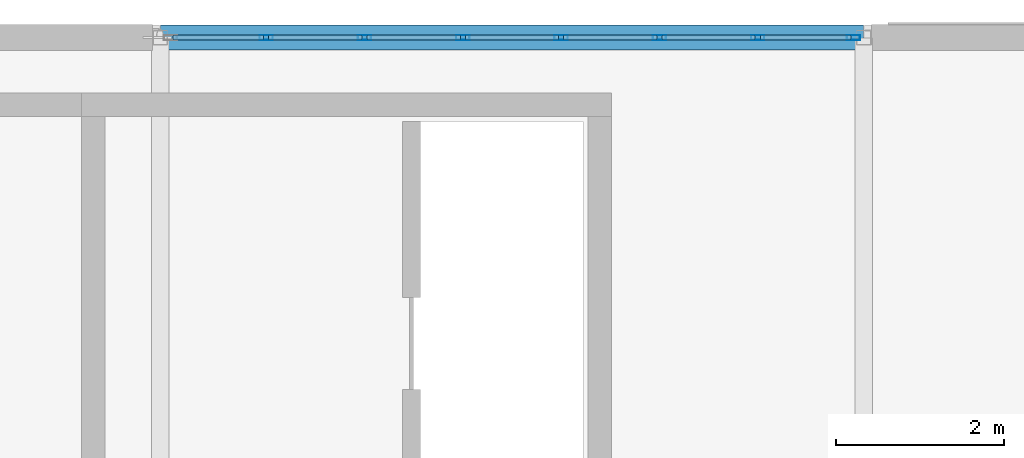
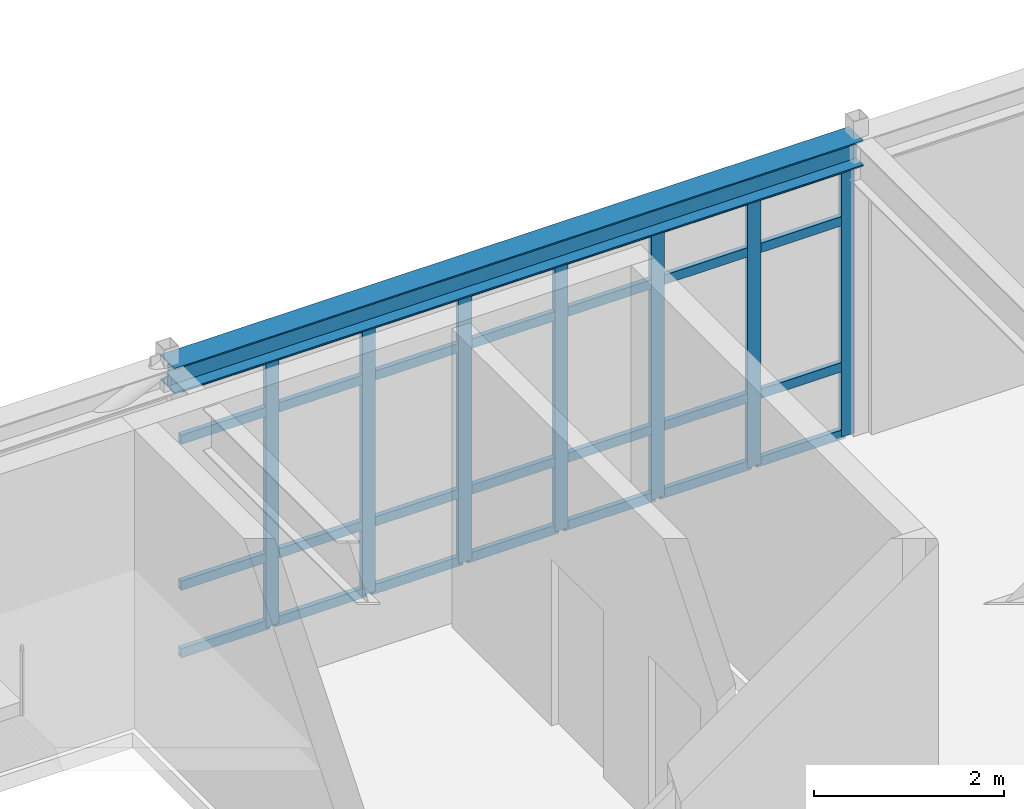
# One storey, part 21 of 65: 35 members, 1 beam, 1 element without a shape of its own.
"""IFC4 building model written with IfcOpenShell, lengths in metres."""

import ifcopenshell
import ifcopenshell.guid

model = None  # the IFC model being written
_history = None  # IfcOwnerHistory: only IFC2X3 demands one
_inside = {}  # id of a spatial element -> (the spatial element, [elements in it])
_under = {}  # id of a project, library or spatial element -> (it, [spatial elements below it])
_declared = {}  # id of a project -> (the project, [libraries it declares])
_typed = {}  # id of a type object -> (the type object, [elements of that type])
_made_of = {}  # id of a material, layer set ... -> (it, [elements and type objects made of it])


def new_model(schema):
    """Start an empty IFC model of exactly this schema.

    Asked for "IFC4X3", IfcOpenShell would pick the latest addendum, in which some entities
    have other attributes; the version numbers below select the first issue.
    IFC2X3 requires an IfcOwnerHistory on every rooted entity: one is made here for all.
    """
    global model, _history
    if schema == "IFC4X3":
        model = ifcopenshell.file(schema_version=(4, 3, 0, 0))
    else:
        model = ifcopenshell.file(schema=schema)
    _inside.clear()
    _under.clear()
    _declared.clear()
    _typed.clear()
    _made_of.clear()
    _history = None
    if model.schema == "IFC2X3":
        org = make("IfcOrganization", Name="unknown")
        user = make(
            "IfcPersonAndOrganization",
            ThePerson=make("IfcPerson", FamilyName="unknown"),
            TheOrganization=org,
        )
        app = make(
            "IfcApplication",
            ApplicationDeveloper=org,
            Version="unknown",
            ApplicationFullName="unknown",
            ApplicationIdentifier="unknown",
        )
        _history = make(
            "IfcOwnerHistory",
            OwningUser=user,
            OwningApplication=app,
            ChangeAction="ADDED",
            CreationDate=0,
        )
    return model


def make(cls, **values):
    """One entity of the class cls with the attributes given. An attribute that is None is left unset."""
    return model.create_entity(
        cls, **{name: value for name, value in values.items() if value is not None}
    )


def rooted(cls, **values):
    """An entity with a GlobalId (a new one), such as an element, a storey or a relation."""
    return make(cls, GlobalId=ifcopenshell.guid.new(), OwnerHistory=_history, **values)


def si_unit(unit_type, name, prefix=None):
    """IfcSIUnit, for example si_unit("LENGTHUNIT", "METRE", prefix="MILLI")."""
    return make("IfcSIUnit", UnitType=unit_type, Prefix=prefix, Name=name)


def assignment(units):
    """IfcUnitAssignment: the units of a project."""
    return None if units is None else make("IfcUnitAssignment", Units=units)


def point(xyz):
    """IfcCartesianPoint."""
    return None if xyz is None else make("IfcCartesianPoint", Coordinates=xyz)


def direction(xyz):
    """IfcDirection."""
    return None if xyz is None else make("IfcDirection", DirectionRatios=xyz)


def frame(location, z_axis=None, x_axis=None):
    """IfcAxis2Placement3D, a coordinate frame: its origin and axes. An axis left out is left unset."""
    return make(
        "IfcAxis2Placement3D",
        Location=point(location),
        Axis=direction(z_axis),
        RefDirection=direction(x_axis),
    )


def frame_2d(location, x_axis=None):
    """IfcAxis2Placement2D, a coordinate frame in the plane: its origin and x axis."""
    return make(
        "IfcAxis2Placement2D", Location=point(location), RefDirection=direction(x_axis)
    )


def origin():
    """The frame at (0, 0, 0) with its axes left unset."""
    return frame((0.0, 0.0, 0.0))


def origin_2d():
    """The frame at (0, 0) in the plane with its x axis left unset."""
    return frame_2d((0.0, 0.0))


def place(relative_to, where):
    """IfcLocalPlacement: puts the frame where relative to a parent placement (None: the world)."""
    return make(
        "IfcLocalPlacement", PlacementRelTo=relative_to, RelativePlacement=where
    )


def context(
    kind, dimensions, precision=None, world=None, true_north=None, identifier=None
):
    """IfcGeometricRepresentationContext, for example the 3D "Model" context."""
    return make(
        "IfcGeometricRepresentationContext",
        ContextIdentifier=identifier,
        ContextType=kind,
        CoordinateSpaceDimension=dimensions,
        Precision=precision,
        WorldCoordinateSystem=world,
        TrueNorth=true_north,
    )


def subcontext(parent, identifier, kind, view, scale=None):
    """IfcGeometricRepresentationSubContext, for example "Body" below "Model"."""
    return make(
        "IfcGeometricRepresentationSubContext",
        ContextIdentifier=identifier,
        ContextType=kind,
        ParentContext=parent,
        TargetScale=scale,
        TargetView=view,
    )


def project(units=None, contexts=None):
    """IfcProject with its units and contexts."""
    return rooted(
        "IfcProject",
        Name="project",
        RepresentationContexts=contexts,
        UnitsInContext=assignment(units),
    )


def spatial(cls, under=None, at=None, **own):
    """A site, building, storey or space (cls), placed at a placement, below another one or the project."""
    s = rooted(cls, ObjectPlacement=at, **own)
    if under is not None:
        _under.setdefault(under.id(), (under, []))[1].append(s)
    return s


def profile(cls, at=None, kind="AREA", **sizes):
    """A parametric profile (cls). Its sizes go by their IFC names, for example OverallWidth=200.0."""
    return make(cls, ProfileType=kind, Position=at, **sizes)


def hollow_rectangle(**sizes):
    """IfcRectangleHollowProfileDef."""
    return profile("IfcRectangleHollowProfileDef", **sizes)


def i_section(**sizes):
    """IfcIShapeProfileDef."""
    return profile("IfcIShapeProfileDef", **sizes)


def extrude(swept, where, along, depth):
    """IfcExtrudedAreaSolid: the profile swept, set in the frame where, extruded along a direction by depth."""
    return make(
        "IfcExtrudedAreaSolid",
        SweptArea=swept,
        Position=where,
        ExtrudedDirection=direction(along),
        Depth=depth,
    )


def shape(context_of_items, identifier, shape_type, items):
    """IfcShapeRepresentation: the items that make up one representation, for example the "Body"."""
    return make(
        "IfcShapeRepresentation",
        ContextOfItems=context_of_items,
        RepresentationIdentifier=identifier,
        RepresentationType=shape_type,
        Items=items,
    )


def material(Name=None, Category=None):
    """IfcMaterial."""
    return make("IfcMaterial", Name=Name, Category=Category)


def layer(
    of_material, thickness, ventilated=None, Name=None, Category=None, Priority=None
):
    """IfcMaterialLayer: one layer of a wall or slab, of a material (None: an air gap)."""
    return make(
        "IfcMaterialLayer",
        Material=of_material,
        LayerThickness=thickness,
        IsVentilated=ventilated,
        Name=Name,
        Category=Category,
        Priority=Priority,
    )


def layer_set(layers, Name=None):
    """IfcMaterialLayerSet."""
    return make("IfcMaterialLayerSet", MaterialLayers=layers, LayerSetName=Name)


def material_profile(
    of_material, cross_section, Name=None, Category=None, Priority=None
):
    """IfcMaterialProfile: a cross section and its material."""
    return make(
        "IfcMaterialProfile",
        Name=Name,
        Material=of_material,
        Profile=cross_section,
        Priority=Priority,
        Category=Category,
    )


def profile_set(profiles, Name=None, composite=None):
    """IfcMaterialProfileSet."""
    return make(
        "IfcMaterialProfileSet",
        Name=Name,
        MaterialProfiles=profiles,
        CompositeProfile=composite,
    )


def made_of(thing, what):
    """Note that an element or type object is made of a material, layer set ...; save() writes the relation."""
    if what is not None:
        _made_of.setdefault(what.id(), (what, []))[1].append(thing)
    return thing


def type_object(cls, material=None, **own):
    """A type object (cls), such as IfcWallType, which elements share."""
    return made_of(rooted(cls, **own), material)


def element(
    cls,
    number,
    at=None,
    inside=None,
    cuts=None,
    type_object=None,
    material=None,
    context=None,
    identifier="Body",
    shape_type=None,
    held_by="IfcProductDefinitionShape",
    body=None,
    shapes=None,
    **own,
):
    """One element of the class cls, such as IfcWall. Its Tag is "e" and its number.

    at: its placement. inside: the storey or other place that contains it. cuts: it is an
    opening in that element (IfcRelVoidsElement). A single representation is given by context,
    identifier, shape_type and body (its items); several are given by shapes. held_by: the class
    of the entity that holds the representations. save() writes the other relations.
    """
    e = rooted(cls, Tag="e%d" % number, ObjectPlacement=at, **own)
    if body is not None:
        shapes = [shape(context, identifier, shape_type, body)]
    if shapes is not None:
        e.Representation = make(held_by, Representations=shapes)
    if inside is not None:
        _inside.setdefault(inside.id(), (inside, []))[1].append(e)
    if cuts is not None:
        rooted(
            "IfcRelVoidsElement", RelatingBuildingElement=cuts, RelatedOpeningElement=e
        )
    if type_object is not None:
        _typed.setdefault(type_object.id(), (type_object, []))[1].append(e)
    return made_of(e, material)


def aggregate(whole, parts):
    """IfcRelAggregates: a whole, such as a stair, and the parts it consists of."""
    return rooted("IfcRelAggregates", RelatingObject=whole, RelatedObjects=parts)


def save(model, path):
    """Write the relations noted so far, then the file.

    IfcRelAggregates (storeys below a building ...), IfcRelContainedInSpatialStructure (elements
    in a storey), IfcRelDefinesByType, IfcRelAssociatesMaterial and IfcRelDeclares: one each for
    every whole, place, type object, material and project.
    """
    for whole, parts in _under.values():
        aggregate(whole, parts)
    for where, things in _inside.values():
        rooted(
            "IfcRelContainedInSpatialStructure",
            RelatedElements=things,
            RelatingStructure=where,
        )
    for kind, things in _typed.values():
        rooted("IfcRelDefinesByType", RelatedObjects=things, RelatingType=kind)
    for what, things in _made_of.values():
        rooted("IfcRelAssociatesMaterial", RelatedObjects=things, RelatingMaterial=what)
    for by, libraries in _declared.values():
        rooted("IfcRelDeclares", RelatingContext=by, RelatedDefinitions=libraries)
    model.write(path)


model = new_model("IFC4")

# Units and contexts
model_context = context("Model", 3, precision=1e-05, world=origin(), true_north=direction((0.0, 1.0)))
body_context = subcontext(model_context, "Body", "Model", "MODEL_VIEW")
ifc_project = project(units=[si_unit("LENGTHUNIT", "METRE"), si_unit("AREAUNIT", "SQUARE_METRE"), si_unit("VOLUMEUNIT", "CUBIC_METRE"), si_unit("PLANEANGLEUNIT", "RADIAN"), si_unit("MASSUNIT", "GRAM", prefix="KILO")], contexts=[model_context])

# Site, building, storey
site_placement = place(None, origin())
site = spatial("IfcSite", under=ifc_project, at=site_placement, CompositionType="ELEMENT")
building_placement = place(site_placement, origin())
building = spatial("IfcBuilding", under=site, at=building_placement, Name="Montecoro Central Library", CompositionType="ELEMENT")
storey_placement = place(building_placement, frame((0.0, 0.0, 17.340087890625)))
storey = spatial("IfcBuildingStorey", under=building, at=storey_placement, Name="L04", CompositionType="ELEMENT", Elevation=17.340087890625)

# Beam
ifc_material_1 = material(Name="Steel S355", Category="steel")
ifc_material_profile_1 = material_profile(ifc_material_1, i_section(OverallWidth=0.300048828125, OverallDepth=0.330078125, WebThickness=0.009521484375, FlangeThickness=0.0166015625, at=origin_2d()), Name="HEA 340")
ifc_profile_set_1 = profile_set([ifc_material_profile_1], Name="Steel S355")
beam_type = type_object("IfcBeamType", Name="BM-SP-HEA340", PredefinedType="SPANDREL", material=ifc_profile_set_1)
beam_placement = place(storey_placement, frame((83.205078125, 119.0, 3.659912109375), z_axis=(1.0, 0.0, 0.0), x_axis=(0.0, 1.0, 0.0)))
element("IfcBeam", 1, at=beam_placement, inside=storey, type_object=beam_type, Name="V2-L04-BX-1112-R", PredefinedType="SPANDREL", context=body_context, shape_type="SweptSolid", body=[
    extrude(i_section(OverallWidth=0.300048828125, OverallDepth=0.330078125, WebThickness=0.009521484375, FlangeThickness=0.0166015625, at=origin_2d()), origin(), (0.0, 0.0, 1.0), 8.389892578125),
])

# Curtain wall, members
ifc_material_2 = material(Name="Bronze-anodised aluminium and low-E glazing", Category="aluminium")
ifc_layer = layer(ifc_material_2, 0.159912109375)
ifc_layer_set = layer_set([ifc_layer], Name="Bronze-anodised aluminium and low-E glazing")
curtain_wall_type = type_object("IfcCurtainWallType", Name="CWT-022", PredefinedType="NOTDEFINED", material=ifc_layer_set)
curtain_wall_placement = place(storey_placement, origin())
curtain_wall = element("IfcCurtainWall", 2, at=curtain_wall_placement, inside=storey, type_object=curtain_wall_type, Name="V2-L04-CW-N2", PredefinedType="NOTDEFINED")
ifc_material_3 = material(Name="Bronze-anodised aluminium", Category="aluminium")
ifc_material_profile_2 = material_profile(ifc_material_3, hollow_rectangle(XDim=0.06005859375, YDim=0.159912109375, WallThickness=0.00390625, at=origin_2d()), Name="CWM 160x60x4.0")
ifc_profile_set_2 = profile_set([ifc_material_profile_2], Name="Bronze-anodised aluminium")
member_type_1 = type_object("IfcMemberType", Name="CWM-BRZ-60", PredefinedType="MULLION", material=ifc_profile_set_2)
member_1_placement = place(storey_placement, frame((91.47705078125, 119.0, 0.0), z_axis=(0.0, 0.0, 1.0), x_axis=(0.0, -1.0, 0.0)))
member_1 = element("IfcMember", 3, at=member_1_placement, type_object=member_type_1, Name="CW-022 mullion 1", PredefinedType="MULLION", context=body_context, shape_type="SweptSolid", body=[
    extrude(hollow_rectangle(XDim=0.06005859375, YDim=0.159912109375, WallThickness=0.00390625, at=origin_2d()), origin(), (0.0, 0.0, 1.0), 3.47998046875),
])
member_2_placement = place(storey_placement, frame((90.33349609375, 119.0, 0.0), z_axis=(0.0, 0.0, 1.0), x_axis=(0.0, -1.0, 0.0)))
member_2 = element("IfcMember", 4, at=member_2_placement, type_object=member_type_1, Name="CW-022 mullion 2", PredefinedType="MULLION", context=body_context, shape_type="SweptSolid", body=[
    extrude(hollow_rectangle(XDim=0.06005859375, YDim=0.159912109375, WallThickness=0.00390625, at=origin_2d()), origin(), (0.0, 0.0, 1.0), 3.47998046875),
])
member_3_placement = place(storey_placement, frame((89.16015625, 119.0, 0.0), z_axis=(0.0, 0.0, 1.0), x_axis=(0.0, -1.0, 0.0)))
member_3 = element("IfcMember", 5, at=member_3_placement, type_object=member_type_1, Name="CW-022 mullion 3", PredefinedType="MULLION", context=body_context, shape_type="SweptSolid", body=[
    extrude(hollow_rectangle(XDim=0.06005859375, YDim=0.159912109375, WallThickness=0.00390625, at=origin_2d()), origin(), (0.0, 0.0, 1.0), 3.47998046875),
])
member_4_placement = place(storey_placement, frame((87.98681640625, 119.0, 0.0), z_axis=(0.0, 0.0, 1.0), x_axis=(0.0, -1.0, 0.0)))
member_4 = element("IfcMember", 6, at=member_4_placement, type_object=member_type_1, Name="CW-022 mullion 4", PredefinedType="MULLION", context=body_context, shape_type="SweptSolid", body=[
    extrude(hollow_rectangle(XDim=0.06005859375, YDim=0.159912109375, WallThickness=0.00390625, at=origin_2d()), origin(), (0.0, 0.0, 1.0), 3.47998046875),
])
member_5_placement = place(storey_placement, frame((86.813232421875, 119.0, 0.0), z_axis=(0.0, 0.0, 1.0), x_axis=(0.0, -1.0, 0.0)))
member_5 = element("IfcMember", 7, at=member_5_placement, type_object=member_type_1, Name="CW-022 mullion 5", PredefinedType="MULLION", context=body_context, shape_type="SweptSolid", body=[
    extrude(hollow_rectangle(XDim=0.06005859375, YDim=0.159912109375, WallThickness=0.00390625, at=origin_2d()), origin(), (0.0, 0.0, 1.0), 3.47998046875),
])
member_6_placement = place(storey_placement, frame((85.639892578125, 119.0, 0.0), z_axis=(0.0, 0.0, 1.0), x_axis=(0.0, -1.0, 0.0)))
member_6 = element("IfcMember", 8, at=member_6_placement, type_object=member_type_1, Name="CW-022 mullion 6", PredefinedType="MULLION", context=body_context, shape_type="SweptSolid", body=[
    extrude(hollow_rectangle(XDim=0.06005859375, YDim=0.159912109375, WallThickness=0.00390625, at=origin_2d()), origin(), (0.0, 0.0, 1.0), 3.47998046875),
])
member_7_placement = place(storey_placement, frame((84.46630859375, 119.0, 0.0), z_axis=(0.0, 0.0, 1.0), x_axis=(0.0, -1.0, 0.0)))
member_7 = element("IfcMember", 9, at=member_7_placement, type_object=member_type_1, Name="CW-022 mullion 7", PredefinedType="MULLION", context=body_context, shape_type="SweptSolid", body=[
    extrude(hollow_rectangle(XDim=0.06005859375, YDim=0.159912109375, WallThickness=0.00390625, at=origin_2d()), origin(), (0.0, 0.0, 1.0), 3.47998046875),
])
ifc_material_profile_3 = material_profile(ifc_material_3, hollow_rectangle(XDim=0.06005859375, YDim=0.1201171875, WallThickness=0.00390625, at=origin_2d()), Name="CWT 120x60x4.0")
ifc_profile_set_3 = profile_set([ifc_material_profile_3], Name="Bronze-anodised aluminium")
member_type_2 = type_object("IfcMemberType", Name="CWT-BRZ-60", PredefinedType="USERDEFINED", material=ifc_profile_set_3)
member_8_placement = place(storey_placement, frame((91.447021484375, 119.0, 0.030029296875), z_axis=(-1.0, 0.0, 0.0), x_axis=(0.0, -1.0, 0.0)))
member_8 = element("IfcMember", 10, at=member_8_placement, type_object=member_type_2, Name="CW-022 transom 1.1", ObjectType="TRANSOM", PredefinedType="USERDEFINED", context=body_context, shape_type="SweptSolid", body=[
    extrude(hollow_rectangle(XDim=0.06005859375, YDim=0.1201171875, WallThickness=0.00390625, at=origin_2d()), origin(), (0.0, 0.0, 1.0), 1.08349609375),
])
member_9_placement = place(storey_placement, frame((91.447021484375, 119.0, 0.89990234375), z_axis=(-1.0, 0.0, 0.0), x_axis=(0.0, -1.0, 0.0)))
member_9 = element("IfcMember", 11, at=member_9_placement, type_object=member_type_2, Name="CW-022 transom 1.2", ObjectType="TRANSOM", PredefinedType="USERDEFINED", context=body_context, shape_type="SweptSolid", body=[
    extrude(hollow_rectangle(XDim=0.06005859375, YDim=0.1201171875, WallThickness=0.00390625, at=origin_2d()), origin(), (0.0, 0.0, 1.0), 1.08349609375),
])
member_10_placement = place(storey_placement, frame((91.447021484375, 119.0, 2.780029296875), z_axis=(-1.0, 0.0, 0.0), x_axis=(0.0, -1.0, 0.0)))
member_10 = element("IfcMember", 12, at=member_10_placement, type_object=member_type_2, Name="CW-022 transom 1.3", ObjectType="TRANSOM", PredefinedType="USERDEFINED", context=body_context, shape_type="SweptSolid", body=[
    extrude(hollow_rectangle(XDim=0.06005859375, YDim=0.1201171875, WallThickness=0.00390625, at=origin_2d()), origin(), (0.0, 0.0, 1.0), 1.08349609375),
])
member_11_placement = place(storey_placement, frame((91.447021484375, 119.0, 3.449951171875), z_axis=(-1.0, 0.0, 0.0), x_axis=(0.0, -1.0, 0.0)))
member_11 = element("IfcMember", 13, at=member_11_placement, type_object=member_type_2, Name="CW-022 transom 1.4", ObjectType="TRANSOM", PredefinedType="USERDEFINED", context=body_context, shape_type="SweptSolid", body=[
    extrude(hollow_rectangle(XDim=0.06005859375, YDim=0.1201171875, WallThickness=0.00390625, at=origin_2d()), origin(), (0.0, 0.0, 1.0), 1.08349609375),
])
member_12_placement = place(storey_placement, frame((90.303466796875, 119.0, 0.030029296875), z_axis=(-1.0, 0.0, 0.0), x_axis=(0.0, -1.0, 0.0)))
member_12 = element("IfcMember", 14, at=member_12_placement, type_object=member_type_2, Name="CW-022 transom 2.1", ObjectType="TRANSOM", PredefinedType="USERDEFINED", context=body_context, shape_type="SweptSolid", body=[
    extrude(hollow_rectangle(XDim=0.06005859375, YDim=0.1201171875, WallThickness=0.00390625, at=origin_2d()), origin(), (0.0, 0.0, 1.0), 1.11328125),
])
member_13_placement = place(storey_placement, frame((90.303466796875, 119.0, 0.89990234375), z_axis=(-1.0, 0.0, 0.0), x_axis=(0.0, -1.0, 0.0)))
member_13 = element("IfcMember", 15, at=member_13_placement, type_object=member_type_2, Name="CW-022 transom 2.2", ObjectType="TRANSOM", PredefinedType="USERDEFINED", context=body_context, shape_type="SweptSolid", body=[
    extrude(hollow_rectangle(XDim=0.06005859375, YDim=0.1201171875, WallThickness=0.00390625, at=origin_2d()), origin(), (0.0, 0.0, 1.0), 1.11328125),
])
member_14_placement = place(storey_placement, frame((90.303466796875, 119.0, 2.780029296875), z_axis=(-1.0, 0.0, 0.0), x_axis=(0.0, -1.0, 0.0)))
member_14 = element("IfcMember", 16, at=member_14_placement, type_object=member_type_2, Name="CW-022 transom 2.3", ObjectType="TRANSOM", PredefinedType="USERDEFINED", context=body_context, shape_type="SweptSolid", body=[
    extrude(hollow_rectangle(XDim=0.06005859375, YDim=0.1201171875, WallThickness=0.00390625, at=origin_2d()), origin(), (0.0, 0.0, 1.0), 1.11328125),
])
member_15_placement = place(storey_placement, frame((90.303466796875, 119.0, 3.449951171875), z_axis=(-1.0, 0.0, 0.0), x_axis=(0.0, -1.0, 0.0)))
member_15 = element("IfcMember", 17, at=member_15_placement, type_object=member_type_2, Name="CW-022 transom 2.4", ObjectType="TRANSOM", PredefinedType="USERDEFINED", context=body_context, shape_type="SweptSolid", body=[
    extrude(hollow_rectangle(XDim=0.06005859375, YDim=0.1201171875, WallThickness=0.00390625, at=origin_2d()), origin(), (0.0, 0.0, 1.0), 1.11328125),
])
member_16_placement = place(storey_placement, frame((89.130126953125, 119.0, 0.030029296875), z_axis=(-1.0, 0.0, 0.0), x_axis=(0.0, -1.0, 0.0)))
member_16 = element("IfcMember", 18, at=member_16_placement, type_object=member_type_2, Name="CW-022 transom 3.1", ObjectType="TRANSOM", PredefinedType="USERDEFINED", context=body_context, shape_type="SweptSolid", body=[
    extrude(hollow_rectangle(XDim=0.06005859375, YDim=0.1201171875, WallThickness=0.00390625, at=origin_2d()), origin(), (0.0, 0.0, 1.0), 1.113525390625),
])
member_17_placement = place(storey_placement, frame((89.130126953125, 119.0, 0.89990234375), z_axis=(-1.0, 0.0, 0.0), x_axis=(0.0, -1.0, 0.0)))
member_17 = element("IfcMember", 19, at=member_17_placement, type_object=member_type_2, Name="CW-022 transom 3.2", ObjectType="TRANSOM", PredefinedType="USERDEFINED", context=body_context, shape_type="SweptSolid", body=[
    extrude(hollow_rectangle(XDim=0.06005859375, YDim=0.1201171875, WallThickness=0.00390625, at=origin_2d()), origin(), (0.0, 0.0, 1.0), 1.113525390625),
])
member_18_placement = place(storey_placement, frame((89.130126953125, 119.0, 2.780029296875), z_axis=(-1.0, 0.0, 0.0), x_axis=(0.0, -1.0, 0.0)))
member_18 = element("IfcMember", 20, at=member_18_placement, type_object=member_type_2, Name="CW-022 transom 3.3", ObjectType="TRANSOM", PredefinedType="USERDEFINED", context=body_context, shape_type="SweptSolid", body=[
    extrude(hollow_rectangle(XDim=0.06005859375, YDim=0.1201171875, WallThickness=0.00390625, at=origin_2d()), origin(), (0.0, 0.0, 1.0), 1.113525390625),
])
member_19_placement = place(storey_placement, frame((89.130126953125, 119.0, 3.449951171875), z_axis=(-1.0, 0.0, 0.0), x_axis=(0.0, -1.0, 0.0)))
member_19 = element("IfcMember", 21, at=member_19_placement, type_object=member_type_2, Name="CW-022 transom 3.4", ObjectType="TRANSOM", PredefinedType="USERDEFINED", context=body_context, shape_type="SweptSolid", body=[
    extrude(hollow_rectangle(XDim=0.06005859375, YDim=0.1201171875, WallThickness=0.00390625, at=origin_2d()), origin(), (0.0, 0.0, 1.0), 1.113525390625),
])
member_20_placement = place(storey_placement, frame((87.956787109375, 119.0, 0.030029296875), z_axis=(-1.0, 0.0, 0.0), x_axis=(0.0, -1.0, 0.0)))
member_20 = element("IfcMember", 22, at=member_20_placement, type_object=member_type_2, Name="CW-022 transom 4.1", ObjectType="TRANSOM", PredefinedType="USERDEFINED", context=body_context, shape_type="SweptSolid", body=[
    extrude(hollow_rectangle(XDim=0.06005859375, YDim=0.1201171875, WallThickness=0.00390625, at=origin_2d()), origin(), (0.0, 0.0, 1.0), 1.113525390625),
])
member_21_placement = place(storey_placement, frame((87.956787109375, 119.0, 0.89990234375), z_axis=(-1.0, 0.0, 0.0), x_axis=(0.0, -1.0, 0.0)))
member_21 = element("IfcMember", 23, at=member_21_placement, type_object=member_type_2, Name="CW-022 transom 4.2", ObjectType="TRANSOM", PredefinedType="USERDEFINED", context=body_context, shape_type="SweptSolid", body=[
    extrude(hollow_rectangle(XDim=0.06005859375, YDim=0.1201171875, WallThickness=0.00390625, at=origin_2d()), origin(), (0.0, 0.0, 1.0), 1.113525390625),
])
member_22_placement = place(storey_placement, frame((87.956787109375, 119.0, 2.780029296875), z_axis=(-1.0, 0.0, 0.0), x_axis=(0.0, -1.0, 0.0)))
member_22 = element("IfcMember", 24, at=member_22_placement, type_object=member_type_2, Name="CW-022 transom 4.3", ObjectType="TRANSOM", PredefinedType="USERDEFINED", context=body_context, shape_type="SweptSolid", body=[
    extrude(hollow_rectangle(XDim=0.06005859375, YDim=0.1201171875, WallThickness=0.00390625, at=origin_2d()), origin(), (0.0, 0.0, 1.0), 1.113525390625),
])
member_23_placement = place(storey_placement, frame((87.956787109375, 119.0, 3.449951171875), z_axis=(-1.0, 0.0, 0.0), x_axis=(0.0, -1.0, 0.0)))
member_23 = element("IfcMember", 25, at=member_23_placement, type_object=member_type_2, Name="CW-022 transom 4.4", ObjectType="TRANSOM", PredefinedType="USERDEFINED", context=body_context, shape_type="SweptSolid", body=[
    extrude(hollow_rectangle(XDim=0.06005859375, YDim=0.1201171875, WallThickness=0.00390625, at=origin_2d()), origin(), (0.0, 0.0, 1.0), 1.113525390625),
])
member_24_placement = place(storey_placement, frame((86.783203125, 119.0, 0.030029296875), z_axis=(-1.0, 0.0, 0.0), x_axis=(0.0, -1.0, 0.0)))
member_24 = element("IfcMember", 26, at=member_24_placement, type_object=member_type_2, Name="CW-022 transom 5.1", ObjectType="TRANSOM", PredefinedType="USERDEFINED", context=body_context, shape_type="SweptSolid", body=[
    extrude(hollow_rectangle(XDim=0.06005859375, YDim=0.1201171875, WallThickness=0.00390625, at=origin_2d()), origin(), (0.0, 0.0, 1.0), 1.11328125),
])
member_25_placement = place(storey_placement, frame((86.783203125, 119.0, 0.89990234375), z_axis=(-1.0, 0.0, 0.0), x_axis=(0.0, -1.0, 0.0)))
member_25 = element("IfcMember", 27, at=member_25_placement, type_object=member_type_2, Name="CW-022 transom 5.2", ObjectType="TRANSOM", PredefinedType="USERDEFINED", context=body_context, shape_type="SweptSolid", body=[
    extrude(hollow_rectangle(XDim=0.06005859375, YDim=0.1201171875, WallThickness=0.00390625, at=origin_2d()), origin(), (0.0, 0.0, 1.0), 1.11328125),
])
member_26_placement = place(storey_placement, frame((86.783203125, 119.0, 2.780029296875), z_axis=(-1.0, 0.0, 0.0), x_axis=(0.0, -1.0, 0.0)))
member_26 = element("IfcMember", 28, at=member_26_placement, type_object=member_type_2, Name="CW-022 transom 5.3", ObjectType="TRANSOM", PredefinedType="USERDEFINED", context=body_context, shape_type="SweptSolid", body=[
    extrude(hollow_rectangle(XDim=0.06005859375, YDim=0.1201171875, WallThickness=0.00390625, at=origin_2d()), origin(), (0.0, 0.0, 1.0), 1.11328125),
])
member_27_placement = place(storey_placement, frame((86.783203125, 119.0, 3.449951171875), z_axis=(-1.0, 0.0, 0.0), x_axis=(0.0, -1.0, 0.0)))
member_27 = element("IfcMember", 29, at=member_27_placement, type_object=member_type_2, Name="CW-022 transom 5.4", ObjectType="TRANSOM", PredefinedType="USERDEFINED", context=body_context, shape_type="SweptSolid", body=[
    extrude(hollow_rectangle(XDim=0.06005859375, YDim=0.1201171875, WallThickness=0.00390625, at=origin_2d()), origin(), (0.0, 0.0, 1.0), 1.11328125),
])
member_28_placement = place(storey_placement, frame((85.60986328125, 119.0, 0.030029296875), z_axis=(-1.0, 0.0, 0.0), x_axis=(0.0, -1.0, 0.0)))
member_28 = element("IfcMember", 30, at=member_28_placement, type_object=member_type_2, Name="CW-022 transom 6.1", ObjectType="TRANSOM", PredefinedType="USERDEFINED", context=body_context, shape_type="SweptSolid", body=[
    extrude(hollow_rectangle(XDim=0.06005859375, YDim=0.1201171875, WallThickness=0.00390625, at=origin_2d()), origin(), (0.0, 0.0, 1.0), 1.113525390625),
])
member_29_placement = place(storey_placement, frame((85.60986328125, 119.0, 0.89990234375), z_axis=(-1.0, 0.0, 0.0), x_axis=(0.0, -1.0, 0.0)))
member_29 = element("IfcMember", 31, at=member_29_placement, type_object=member_type_2, Name="CW-022 transom 6.2", ObjectType="TRANSOM", PredefinedType="USERDEFINED", context=body_context, shape_type="SweptSolid", body=[
    extrude(hollow_rectangle(XDim=0.06005859375, YDim=0.1201171875, WallThickness=0.00390625, at=origin_2d()), origin(), (0.0, 0.0, 1.0), 1.113525390625),
])
member_30_placement = place(storey_placement, frame((85.60986328125, 119.0, 2.780029296875), z_axis=(-1.0, 0.0, 0.0), x_axis=(0.0, -1.0, 0.0)))
member_30 = element("IfcMember", 32, at=member_30_placement, type_object=member_type_2, Name="CW-022 transom 6.3", ObjectType="TRANSOM", PredefinedType="USERDEFINED", context=body_context, shape_type="SweptSolid", body=[
    extrude(hollow_rectangle(XDim=0.06005859375, YDim=0.1201171875, WallThickness=0.00390625, at=origin_2d()), origin(), (0.0, 0.0, 1.0), 1.113525390625),
])
member_31_placement = place(storey_placement, frame((85.60986328125, 119.0, 3.449951171875), z_axis=(-1.0, 0.0, 0.0), x_axis=(0.0, -1.0, 0.0)))
member_31 = element("IfcMember", 33, at=member_31_placement, type_object=member_type_2, Name="CW-022 transom 6.4", ObjectType="TRANSOM", PredefinedType="USERDEFINED", context=body_context, shape_type="SweptSolid", body=[
    extrude(hollow_rectangle(XDim=0.06005859375, YDim=0.1201171875, WallThickness=0.00390625, at=origin_2d()), origin(), (0.0, 0.0, 1.0), 1.113525390625),
])
member_32_placement = place(storey_placement, frame((84.4365234375, 119.0, 0.030029296875), z_axis=(-1.0, 0.0, 0.0), x_axis=(0.0, -1.0, 0.0)))
member_32 = element("IfcMember", 34, at=member_32_placement, type_object=member_type_2, Name="CW-022 transom 7.1", ObjectType="TRANSOM", PredefinedType="USERDEFINED", context=body_context, shape_type="SweptSolid", body=[
    extrude(hollow_rectangle(XDim=0.06005859375, YDim=0.1201171875, WallThickness=0.00390625, at=origin_2d()), origin(), (0.0, 0.0, 1.0), 1.08349609375),
])
member_33_placement = place(storey_placement, frame((84.4365234375, 119.0, 0.89990234375), z_axis=(-1.0, 0.0, 0.0), x_axis=(0.0, -1.0, 0.0)))
member_33 = element("IfcMember", 35, at=member_33_placement, type_object=member_type_2, Name="CW-022 transom 7.2", ObjectType="TRANSOM", PredefinedType="USERDEFINED", context=body_context, shape_type="SweptSolid", body=[
    extrude(hollow_rectangle(XDim=0.06005859375, YDim=0.1201171875, WallThickness=0.00390625, at=origin_2d()), origin(), (0.0, 0.0, 1.0), 1.08349609375),
])
member_34_placement = place(storey_placement, frame((84.4365234375, 119.0, 2.780029296875), z_axis=(-1.0, 0.0, 0.0), x_axis=(0.0, -1.0, 0.0)))
member_34 = element("IfcMember", 36, at=member_34_placement, type_object=member_type_2, Name="CW-022 transom 7.3", ObjectType="TRANSOM", PredefinedType="USERDEFINED", context=body_context, shape_type="SweptSolid", body=[
    extrude(hollow_rectangle(XDim=0.06005859375, YDim=0.1201171875, WallThickness=0.00390625, at=origin_2d()), origin(), (0.0, 0.0, 1.0), 1.08349609375),
])
member_35_placement = place(storey_placement, frame((84.4365234375, 119.0, 3.449951171875), z_axis=(-1.0, 0.0, 0.0), x_axis=(0.0, -1.0, 0.0)))
member_35 = element("IfcMember", 37, at=member_35_placement, type_object=member_type_2, Name="CW-022 transom 7.4", ObjectType="TRANSOM", PredefinedType="USERDEFINED", context=body_context, shape_type="SweptSolid", body=[
    extrude(hollow_rectangle(XDim=0.06005859375, YDim=0.1201171875, WallThickness=0.00390625, at=origin_2d()), origin(), (0.0, 0.0, 1.0), 1.08349609375),
])
aggregate(curtain_wall, [member_1, member_2, member_3, member_4, member_5, member_6, member_7, member_8, member_9, member_10, member_11, member_12, member_13, member_14, member_15, member_16, member_17, member_18, member_19, member_20, member_21, member_22, member_23, member_24, member_25, member_26, member_27, member_28, member_29, member_30, member_31, member_32, member_33, member_34, member_35])

save(model, "model.ifc")
